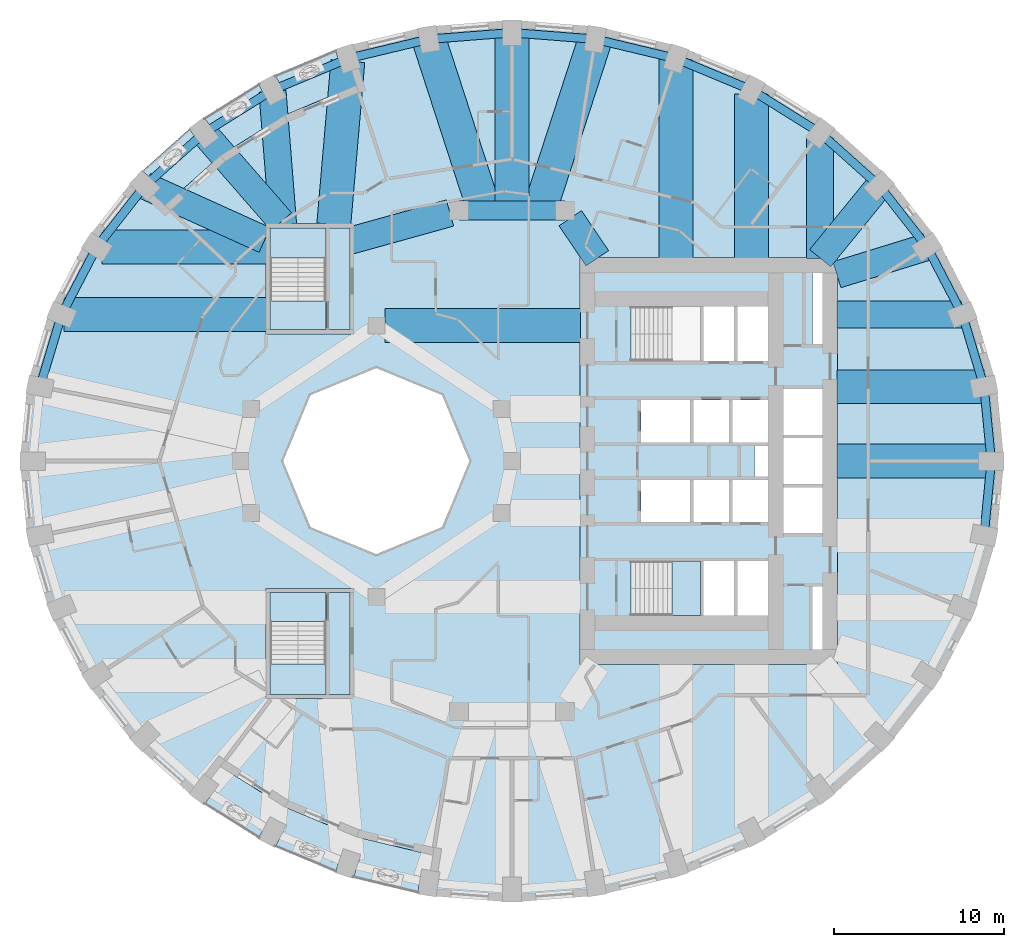
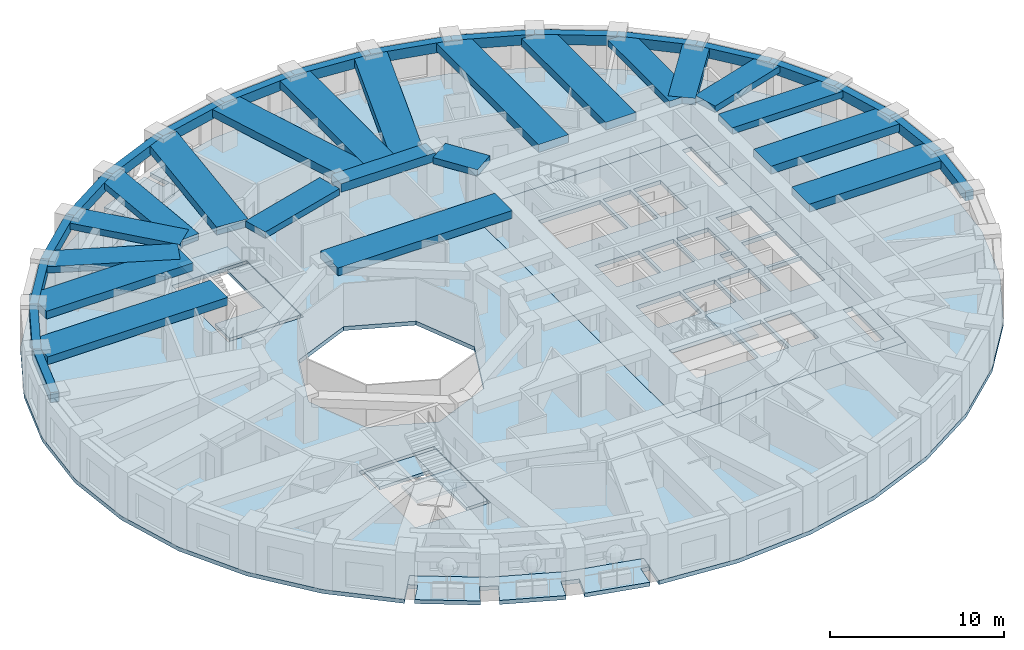
# One storey, part 2 of 13: 39 beams, 11 slabs, 3 elements without a shape of their own.
"""IFC4 building model written with IfcOpenShell, lengths in metres."""

from ifc_helpers import new_model, si_unit, direction, frame, origin, origin_2d, place, context, subcontext, project, spatial, polyline, rectangle, outline, extrude, material, layer, layer_set, material_profile, profile_set, type_object, element, aggregate, save


model = new_model("IFC4")

# Units and contexts
model_context = context("Model", 3, precision=1e-05, world=origin(), true_north=direction((0.0, 1.0)))
body_context = subcontext(model_context, "Body", "Model", "MODEL_VIEW")
ifc_project = project(units=[si_unit("LENGTHUNIT", "METRE"), si_unit("AREAUNIT", "SQUARE_METRE"), si_unit("VOLUMEUNIT", "CUBIC_METRE"), si_unit("PLANEANGLEUNIT", "RADIAN"), si_unit("MASSUNIT", "GRAM", prefix="KILO")], contexts=[model_context])

# Site, building, storey
site_placement = place(None, origin())
site = spatial("IfcSite", under=ifc_project, at=site_placement, CompositionType="ELEMENT")
building_placement = place(site_placement, origin())
building = spatial("IfcBuilding", under=site, at=building_placement, Name="Taillehof Tower", CompositionType="ELEMENT")
storey_placement = place(building_placement, frame((0.0, 0.0, 48.10009765625)))
storey = spatial("IfcBuildingStorey", under=building, at=storey_placement, Name="L12", CompositionType="ELEMENT", Elevation=48.10009765625)

# Beams
ifc_material_1 = material(Name="Concrete C50/60", Category="concrete")
ifc_material_profile_1 = material_profile(ifc_material_1, rectangle(XDim=1.10009765625, YDim=0.60009765625, at=origin_2d()), Name="RC 1100x600")
ifc_profile_set_1 = profile_set([ifc_material_profile_1], Name="Concrete C50/60")
beam_type_1 = type_object("IfcBeamType", Name="Mid-ring beam C50/60 1100x600", PredefinedType="BEAM", material=ifc_profile_set_1)
beam_1_placement = place(storey_placement, frame((3.125732421875, 14.772216796875, 2.719970703125), z_axis=(-1.0, 0.0, 0.0), x_axis=(0.0, -1.0, 0.0)))
element("IfcBeam", 1, at=beam_1_placement, inside=storey, type_object=beam_type_1, Name="Mid-ring beam MB01", PredefinedType="BEAM", context=body_context, shape_type="SweptSolid", body=[
    extrude(rectangle(XDim=1.10009765625, YDim=0.60009765625, at=origin_2d()), origin(), (0.0, 0.0, 1.0), 6.25146484375),
])
ifc_material_2 = material(Name="Concrete C50/60", Category="concrete")
ifc_material_profile_2 = material_profile(ifc_material_2, rectangle(XDim=1.60009765625, YDim=0.449951171875, at=origin_2d()), Name="RC 1600x450")
ifc_profile_set_2 = profile_set([ifc_material_profile_2], Name="Concrete C50/60")
beam_type_2 = type_object("IfcBeamType", Name="Radial band beam C50/60 1600x450", PredefinedType="BEAM", material=ifc_profile_set_2)
beam_2_placement = place(storey_placement, frame((26.490478515625, 8.635986328125, 2.794921875), z_axis=(-1.0, 0.0, 0.0), x_axis=(0.0, -1.0, 0.0)))
element("IfcBeam", 2, at=beam_2_placement, inside=storey, type_object=beam_type_2, Name="Radial band beam RB03", PredefinedType="BEAM", context=body_context, shape_type="SweptSolid", body=[
    extrude(rectangle(XDim=1.60009765625, YDim=0.449951171875, at=origin_2d()), origin(), (0.0, 0.0, 1.0), 7.340576171875),
])
beam_3_placement = place(storey_placement, frame((24.46533203125, 12.625, 2.794921875), z_axis=(-0.955535654338, -0.294875589511, 0.0), x_axis=(0.294875589511, -0.955535654338, 0.0)))
element("IfcBeam", 3, at=beam_3_placement, inside=storey, type_object=beam_type_2, Name="Radial band beam RB04", PredefinedType="BEAM", context=body_context, shape_type="SweptSolid", body=[
    extrude(rectangle(XDim=1.60009765625, YDim=0.449951171875, at=origin_2d()), origin(), (0.0, 0.0, 1.0), 5.560546875),
])
beam_4_placement = place(storey_placement, frame((21.640869140625, 16.23046875, 2.794921875), z_axis=(-0.630988373846, -0.775792286679, 0.0), x_axis=(0.775792286679, -0.630988373846, 0.0)))
element("IfcBeam", 4, at=beam_4_placement, inside=storey, type_object=beam_type_2, Name="Radial band beam RB05", PredefinedType="BEAM", context=body_context, shape_type="SweptSolid", body=[
    extrude(rectangle(XDim=1.60009765625, YDim=0.449951171875, at=origin_2d()), origin(), (0.0, 0.0, 1.0), 5.503173828125),
])
beam_5_placement = place(storey_placement, frame((18.15869140625, 19.05517578125, 2.794921875), z_axis=(0.0, -1.0, 0.0), x_axis=(1.0, 0.0, 0.0)))
element("IfcBeam", 5, at=beam_5_placement, inside=storey, type_object=beam_type_2, Name="Radial band beam RB06", PredefinedType="BEAM", context=body_context, shape_type="SweptSolid", body=[
    extrude(rectangle(XDim=1.60009765625, YDim=0.449951171875, at=origin_2d()), origin(), (0.0, 0.0, 1.0), 7.105224609375),
])
beam_6_placement = place(storey_placement, frame((-14.119873046875, 21.802978515625, 2.794921875), z_axis=(0.079184740988, -0.996859958467, 0.0), x_axis=(0.996859958467, 0.079184740988, 0.0)))
element("IfcBeam", 6, at=beam_6_placement, inside=storey, type_object=beam_type_2, Name="Radial band beam RB13", PredefinedType="BEAM", context=body_context, shape_type="SweptSolid", body=[
    extrude(rectangle(XDim=1.60009765625, YDim=0.449951171875, at=origin_2d()), origin(), (0.0, 0.0, 1.0), 7.87744140625),
])
beam_7_placement = place(storey_placement, frame((-18.15869140625, 19.342529296875, 2.794921875), z_axis=(0.65721824087, -0.753700327628, 0.0), x_axis=(0.753700327628, 0.65721824087, 0.0)))
element("IfcBeam", 7, at=beam_7_placement, inside=storey, type_object=beam_type_2, Name="Radial band beam RB14", PredefinedType="BEAM", context=body_context, shape_type="SweptSolid", body=[
    extrude(rectangle(XDim=1.60009765625, YDim=0.449951171875, at=origin_2d()), origin(), (0.0, 0.0, 1.0), 6.9384765625),
])
beam_8_placement = place(storey_placement, frame((-21.632568359375, 16.226806640625, 2.794921875), z_axis=(0.911100590789, -0.412184077161, 0.0), x_axis=(0.412184077161, 0.911100590789, 0.0)))
element("IfcBeam", 8, at=beam_8_placement, inside=storey, type_object=beam_type_2, Name="Radial band beam RB15", PredefinedType="BEAM", context=body_context, shape_type="SweptSolid", body=[
    extrude(rectangle(XDim=1.60009765625, YDim=0.449951171875, at=origin_2d()), origin(), (0.0, 0.0, 1.0), 7.740966796875),
])
beam_9_placement = place(storey_placement, frame((3.433837890625, 14.31640625, 2.794921875), z_axis=(0.560112043398, -0.828416862962, 0.0), x_axis=(0.828416862962, 0.560112043398, 0.0)))
element("IfcBeam", 9, at=beam_9_placement, inside=storey, type_object=beam_type_2, Name="Inner band beam IB205", PredefinedType="BEAM", context=body_context, shape_type="SweptSolid", body=[
    extrude(rectangle(XDim=1.60009765625, YDim=0.449951171875, at=origin_2d()), origin(), (0.0, 0.0, 1.0), 2.84619140625),
])
beam_10_placement = place(storey_placement, frame((-3.655517578125, 14.624755859375, 2.794921875), z_axis=(-0.963459369536, -0.267854518821, 0.0), x_axis=(0.267854518821, -0.963459369536, 0.0)))
element("IfcBeam", 10, at=beam_10_placement, inside=storey, type_object=beam_type_2, Name="Inner band beam IB206", PredefinedType="BEAM", context=body_context, shape_type="SweptSolid", body=[
    extrude(rectangle(XDim=1.60009765625, YDim=0.449951171875, at=origin_2d()), origin(), (0.0, 0.0, 1.0), 6.096923828125),
])
ifc_material_3 = material(Name="Concrete C50/60", Category="concrete")
ifc_material_profile_3 = material_profile(ifc_material_3, rectangle(XDim=2.0, YDim=0.550048828125, at=origin_2d()), Name="RC 2000x550")
ifc_profile_set_3 = profile_set([ifc_material_profile_3], Name="Concrete C50/60")
beam_type_3 = type_object("IfcBeamType", Name="Radial band beam C50/60 2000x550", PredefinedType="BEAM", material=ifc_profile_set_3)
beam_11_placement = place(storey_placement, frame((28.25, 0.0, 2.744873046875), z_axis=(-1.0, 0.0, 0.0), x_axis=(0.0, -1.0, 0.0)))
element("IfcBeam", 11, at=beam_11_placement, inside=storey, type_object=beam_type_3, Name="Radial band beam RB01", PredefinedType="BEAM", context=body_context, shape_type="SweptSolid", body=[
    extrude(rectangle(XDim=2.0, YDim=0.550048828125, at=origin_2d()), origin(), (0.0, 0.0, 1.0), 9.10009765625),
])
beam_12_placement = place(storey_placement, frame((27.82080078125, 4.384521484375, 2.744873046875), z_axis=(-1.0, 0.0, 0.0), x_axis=(0.0, -1.0, 0.0)))
element("IfcBeam", 12, at=beam_12_placement, inside=storey, type_object=beam_type_3, Name="Radial band beam RB02", PredefinedType="BEAM", context=body_context, shape_type="SweptSolid", body=[
    extrude(rectangle(XDim=2.0, YDim=0.550048828125, at=origin_2d()), origin(), (0.0, 0.0, 1.0), 8.6708984375),
])
beam_13_placement = place(storey_placement, frame((14.125, 21.63232421875, 2.744873046875), z_axis=(0.0, -1.0, 0.0), x_axis=(1.0, 0.0, 0.0)))
element("IfcBeam", 13, at=beam_13_placement, inside=storey, type_object=beam_type_3, Name="Radial band beam RB07", PredefinedType="BEAM", context=body_context, shape_type="SweptSolid", body=[
    extrude(rectangle(XDim=2.0, YDim=0.550048828125, at=origin_2d()), origin(), (0.0, 0.0, 1.0), 9.682373046875),
])
beam_14_placement = place(storey_placement, frame((9.662109375, 23.664794921875, 2.744873046875), z_axis=(0.0, -1.0, 0.0), x_axis=(1.0, 0.0, 0.0)))
element("IfcBeam", 14, at=beam_14_placement, inside=storey, type_object=beam_type_3, Name="Radial band beam RB08", PredefinedType="BEAM", context=body_context, shape_type="SweptSolid", body=[
    extrude(rectangle(XDim=2.0, YDim=0.550048828125, at=origin_2d()), origin(), (0.0, 0.0, 1.0), 11.71484375),
])
beam_15_placement = place(storey_placement, frame((4.905517578125, 24.866455078125, 2.744873046875), z_axis=(-0.309014294595, -0.951057393503, 0.0), x_axis=(0.951057393503, -0.309014294595, 0.0)))
element("IfcBeam", 15, at=beam_15_placement, inside=storey, type_object=beam_type_3, Name="Radial band beam RB09", PredefinedType="BEAM", context=body_context, shape_type="SweptSolid", body=[
    extrude(rectangle(XDim=2.0, YDim=0.550048828125, at=origin_2d()), origin(), (0.0, 0.0, 1.0), 10.61376953125),
])
beam_16_placement = place(storey_placement, frame((0.0, 25.25, 2.744873046875), z_axis=(0.0, -1.0, 0.0), x_axis=(1.0, 0.0, 0.0)))
element("IfcBeam", 16, at=beam_16_placement, inside=storey, type_object=beam_type_3, Name="Radial band beam RB10", PredefinedType="BEAM", context=body_context, shape_type="SweptSolid", body=[
    extrude(rectangle(XDim=2.0, YDim=0.550048828125, at=origin_2d()), origin(), (0.0, 0.0, 1.0), 10.477783203125),
])
beam_17_placement = place(storey_placement, frame((-4.905517578125, 24.866455078125, 2.744873046875), z_axis=(0.309014294595, -0.951057393503, 0.0), x_axis=(0.951057393503, 0.309014294595, 0.0)))
element("IfcBeam", 17, at=beam_17_placement, inside=storey, type_object=beam_type_3, Name="Radial band beam RB11", PredefinedType="BEAM", context=body_context, shape_type="SweptSolid", body=[
    extrude(rectangle(XDim=2.0, YDim=0.550048828125, at=origin_2d()), origin(), (0.0, 0.0, 1.0), 10.61376953125),
])
beam_18_placement = place(storey_placement, frame((-9.675048828125, 23.575927734375, 2.744873046875), z_axis=(-0.085841202752, -0.996308831593, 0.0), x_axis=(0.996308831593, -0.085841202752, 0.0)))
element("IfcBeam", 18, at=beam_18_placement, inside=storey, type_object=beam_type_3, Name="Radial band beam RB12", PredefinedType="BEAM", context=body_context, shape_type="SweptSolid", body=[
    extrude(rectangle(XDim=2.0, YDim=0.550048828125, at=origin_2d()), origin(), (0.0, 0.0, 1.0), 9.661376953125),
])
beam_19_placement = place(storey_placement, frame((-24.172607421875, 12.625, 2.744873046875), z_axis=(1.0, 0.0, 0.0), x_axis=(0.0, 1.0, 0.0)))
element("IfcBeam", 19, at=beam_19_placement, inside=storey, type_object=beam_type_3, Name="Radial band beam RB16", PredefinedType="BEAM", context=body_context, shape_type="SweptSolid", body=[
    extrude(rectangle(XDim=2.0, YDim=0.550048828125, at=origin_2d()), origin(), (0.0, 0.0, 1.0), 9.72265625),
])
beam_20_placement = place(storey_placement, frame((-26.408935546875, 8.635986328125, 2.744873046875), z_axis=(1.0, 0.0, 0.0), x_axis=(0.0, 1.0, 0.0)))
element("IfcBeam", 20, at=beam_20_placement, inside=storey, type_object=beam_type_3, Name="Radial band beam RB17", PredefinedType="BEAM", context=body_context, shape_type="SweptSolid", body=[
    extrude(rectangle(XDim=2.0, YDim=0.550048828125, at=origin_2d()), origin(), (0.0, 0.0, 1.0), 11.958984375),
])
beam_21_placement = place(storey_placement, frame((-7.5, 8.0, 2.744873046875), z_axis=(1.0, 0.0, 0.0), x_axis=(0.0, 1.0, 0.0)))
element("IfcBeam", 21, at=beam_21_placement, inside=storey, type_object=beam_type_3, Name="Inner band beam IB105", PredefinedType="BEAM", context=body_context, shape_type="SweptSolid", body=[
    extrude(rectangle(XDim=2.0, YDim=0.550048828125, at=origin_2d()), origin(), (0.0, 0.0, 1.0), 11.550048828125),
])
ifc_material_4 = material(Name="Concrete C50/60", Category="concrete")
ifc_material_profile_4 = material_profile(ifc_material_4, rectangle(XDim=0.5, YDim=0.699951171875, at=origin_2d()), Name="RC 500x700")
ifc_profile_set_4 = profile_set([ifc_material_profile_4], Name="Concrete C50/60")
beam_type_4 = type_object("IfcBeamType", Name="Spandrel beam C50/60 500x700", PredefinedType="SPANDREL", material=ifc_profile_set_4)
beam_22_placement = place(storey_placement, frame((28.25, 0.0, 2.669921875), z_axis=(-0.097423973567, 0.99524297002, 0.0), x_axis=(-0.99524297002, -0.097423973567, 0.0)))
element("IfcBeam", 22, at=beam_22_placement, inside=storey, type_object=beam_type_4, Name="Spandrel beam SB01", PredefinedType="SPANDREL", context=body_context, shape_type="SweptSolid", body=[
    extrude(rectangle(XDim=0.5, YDim=0.699951171875, at=origin_2d()), origin(), (0.0, 0.0, 1.0), 4.405517578125),
])
beam_23_placement = place(storey_placement, frame((27.82080078125, 4.384521484375, 2.669921875), z_axis=(-0.287135925407, 0.957889847707, 0.0), x_axis=(-0.957889847707, -0.287135925407, 0.0)))
element("IfcBeam", 23, at=beam_23_placement, inside=storey, type_object=beam_type_4, Name="Spandrel beam SB02", PredefinedType="SPANDREL", context=body_context, shape_type="SweptSolid", body=[
    extrude(rectangle(XDim=0.5, YDim=0.699951171875, at=origin_2d()), origin(), (0.0, 0.0, 1.0), 4.4384765625),
])
beam_24_placement = place(storey_placement, frame((26.54638671875, 8.635986328125, 2.669921875), z_axis=(-0.462536335232, 0.886600326297, 0.0), x_axis=(-0.886600326297, -0.462536335232, 0.0)))
element("IfcBeam", 24, at=beam_24_placement, inside=storey, type_object=beam_type_4, Name="Spandrel beam SB03", PredefinedType="SPANDREL", context=body_context, shape_type="SweptSolid", body=[
    extrude(rectangle(XDim=0.5, YDim=0.699951171875, at=origin_2d()), origin(), (0.0, 0.0, 1.0), 4.499267578125),
])
beam_25_placement = place(storey_placement, frame((24.46533203125, 12.625, 2.669921875), z_axis=(-0.616686200373, 0.787209076593, 0.0), x_axis=(-0.787209076593, -0.616686200373, 0.0)))
element("IfcBeam", 25, at=beam_25_placement, inside=storey, type_object=beam_type_4, Name="Spandrel beam SB04", PredefinedType="SPANDREL", context=body_context, shape_type="SweptSolid", body=[
    extrude(rectangle(XDim=0.5, YDim=0.699951171875, at=origin_2d()), origin(), (0.0, 0.0, 1.0), 4.580078125),
])
beam_26_placement = place(storey_placement, frame((21.640869140625, 16.23046875, 2.669921875), z_axis=(-0.745621283614, 0.666369943366, 0.0), x_axis=(-0.666369943366, -0.745621283614, 0.0)))
element("IfcBeam", 26, at=beam_26_placement, inside=storey, type_object=beam_type_4, Name="Spandrel beam SB05", PredefinedType="SPANDREL", context=body_context, shape_type="SweptSolid", body=[
    extrude(rectangle(XDim=0.5, YDim=0.699951171875, at=origin_2d()), origin(), (0.0, 0.0, 1.0), 4.670166015625),
])
beam_27_placement = place(storey_placement, frame((18.15869140625, 19.342529296875, 2.669921875), z_axis=(-0.847658018883, 0.530543007703, 0.0), x_axis=(-0.530543007703, -0.847658018883, 0.0)))
element("IfcBeam", 27, at=beam_27_placement, inside=storey, type_object=beam_type_4, Name="Spandrel beam SB06", PredefinedType="SPANDREL", context=body_context, shape_type="SweptSolid", body=[
    extrude(rectangle(XDim=0.5, YDim=0.699951171875, at=origin_2d()), origin(), (0.0, 0.0, 1.0), 4.758544921875),
])
beam_28_placement = place(storey_placement, frame((14.125, 21.8671875, 2.669921875), z_axis=(-0.923035088053, 0.384715773297, 0.0), x_axis=(-0.384715773297, -0.923035088053, 0.0)))
element("IfcBeam", 28, at=beam_28_placement, inside=storey, type_object=beam_type_4, Name="Spandrel beam SB07", PredefinedType="SPANDREL", context=body_context, shape_type="SweptSolid", body=[
    extrude(rectangle(XDim=0.5, YDim=0.699951171875, at=origin_2d()), origin(), (0.0, 0.0, 1.0), 4.8349609375),
])
beam_29_placement = place(storey_placement, frame((9.662109375, 23.727294921875, 2.669921875), z_axis=(-0.9724995553, 0.232904733616, 0.0), x_axis=(-0.232904733616, -0.9724995553, 0.0)))
element("IfcBeam", 29, at=beam_29_placement, inside=storey, type_object=beam_type_4, Name="Spandrel beam SB08", PredefinedType="SPANDREL", context=body_context, shape_type="SweptSolid", body=[
    extrude(rectangle(XDim=0.5, YDim=0.699951171875, at=origin_2d()), origin(), (0.0, 0.0, 1.0), 4.89111328125),
])
for number, where, z_axis, x_axis, name in (
    (30, (4.905517578125, 24.866455078125, 2.669921875), (-0.996957383661, 0.077948541767, 0.0), (-0.077948541767, -0.996957383661, 0.0), "Spandrel beam SB09"),
    (31, (0.0, 25.25, 2.669921875), (-0.996957383661, -0.077948541767, 0.0), (0.077948541767, -0.996957383661, 0.0), "Spandrel beam SB10"),
):
    element("IfcBeam", number, at=place(storey_placement, frame(where, z_axis=z_axis, x_axis=x_axis)), inside=storey, type_object=beam_type_4, Name=name, PredefinedType="SPANDREL", context=body_context, shape_type="SweptSolid", body=[
        extrude(rectangle(XDim=0.5, YDim=0.699951171875, at=origin_2d()), origin(), (0.0, 0.0, 1.0), 4.92041015625),
    ])
beam_30_placement = place(storey_placement, frame((-4.905517578125, 24.866455078125, 2.669921875), z_axis=(-0.9724995553, -0.232904733616, 0.0), x_axis=(0.232904733616, -0.9724995553, 0.0)))
element("IfcBeam", 32, at=beam_30_placement, inside=storey, type_object=beam_type_4, Name="Spandrel beam SB11", PredefinedType="SPANDREL", context=body_context, shape_type="SweptSolid", body=[
    extrude(rectangle(XDim=0.5, YDim=0.699951171875, at=origin_2d()), origin(), (0.0, 0.0, 1.0), 4.89111328125),
])
beam_31_placement = place(storey_placement, frame((-9.662109375, 23.727294921875, 2.669921875), z_axis=(-0.923035088053, -0.384715773297, 0.0), x_axis=(0.384715773297, -0.923035088053, 0.0)))
element("IfcBeam", 33, at=beam_31_placement, inside=storey, type_object=beam_type_4, Name="Spandrel beam SB12", PredefinedType="SPANDREL", context=body_context, shape_type="SweptSolid", body=[
    extrude(rectangle(XDim=0.5, YDim=0.699951171875, at=origin_2d()), origin(), (0.0, 0.0, 1.0), 4.8349609375),
])
beam_32_placement = place(storey_placement, frame((-14.125, 21.8671875, 2.669921875), z_axis=(-0.847658018883, -0.530543007703, 0.0), x_axis=(0.530543007703, -0.847658018883, 0.0)))
element("IfcBeam", 34, at=beam_32_placement, inside=storey, type_object=beam_type_4, Name="Spandrel beam SB13", PredefinedType="SPANDREL", context=body_context, shape_type="SweptSolid", body=[
    extrude(rectangle(XDim=0.5, YDim=0.699951171875, at=origin_2d()), origin(), (0.0, 0.0, 1.0), 4.758544921875),
])
beam_33_placement = place(storey_placement, frame((-18.15869140625, 19.342529296875, 2.669921875), z_axis=(-0.745621283614, -0.666369943366, 0.0), x_axis=(0.666369943366, -0.745621283614, 0.0)))
element("IfcBeam", 35, at=beam_33_placement, inside=storey, type_object=beam_type_4, Name="Spandrel beam SB14", PredefinedType="SPANDREL", context=body_context, shape_type="SweptSolid", body=[
    extrude(rectangle(XDim=0.5, YDim=0.699951171875, at=origin_2d()), origin(), (0.0, 0.0, 1.0), 4.670166015625),
])
beam_34_placement = place(storey_placement, frame((-21.640869140625, 16.23046875, 2.669921875), z_axis=(-0.616686200373, -0.787209076593, 0.0), x_axis=(0.787209076593, -0.616686200373, 0.0)))
element("IfcBeam", 36, at=beam_34_placement, inside=storey, type_object=beam_type_4, Name="Spandrel beam SB15", PredefinedType="SPANDREL", context=body_context, shape_type="SweptSolid", body=[
    extrude(rectangle(XDim=0.5, YDim=0.699951171875, at=origin_2d()), origin(), (0.0, 0.0, 1.0), 4.580078125),
])
beam_35_placement = place(storey_placement, frame((-24.46533203125, 12.625, 2.669921875), z_axis=(-0.462536335232, -0.886600326297, 0.0), x_axis=(0.886600326297, -0.462536335232, 0.0)))
element("IfcBeam", 37, at=beam_35_placement, inside=storey, type_object=beam_type_4, Name="Spandrel beam SB16", PredefinedType="SPANDREL", context=body_context, shape_type="SweptSolid", body=[
    extrude(rectangle(XDim=0.5, YDim=0.699951171875, at=origin_2d()), origin(), (0.0, 0.0, 1.0), 4.499267578125),
])
beam_36_placement = place(storey_placement, frame((-26.54638671875, 8.635986328125, 2.669921875), z_axis=(-0.287135925407, -0.957889847707, 0.0), x_axis=(0.957889847707, -0.287135925407, 0.0)))
element("IfcBeam", 38, at=beam_36_placement, inside=storey, type_object=beam_type_4, Name="Spandrel beam SB17", PredefinedType="SPANDREL", context=body_context, shape_type="SweptSolid", body=[
    extrude(rectangle(XDim=0.5, YDim=0.699951171875, at=origin_2d()), origin(), (0.0, 0.0, 1.0), 4.4384765625),
])
beam_37_placement = place(storey_placement, frame((27.82080078125, -4.384521484375, 2.669921875), z_axis=(0.097423973567, 0.99524297002, 0.0), x_axis=(-0.99524297002, 0.097423973567, 0.0)))
element("IfcBeam", 39, at=beam_37_placement, inside=storey, type_object=beam_type_4, Name="Spandrel beam SB36", PredefinedType="SPANDREL", context=body_context, shape_type="SweptSolid", body=[
    extrude(rectangle(XDim=0.5, YDim=0.699951171875, at=origin_2d()), origin(), (0.0, 0.0, 1.0), 4.405517578125),
])

# Slabs
ifc_material_5 = material(Name="Concrete C40/50", Category="concrete")
ifc_layer_1 = layer(ifc_material_5, 0.280029296875)
ifc_layer_set_1 = layer_set([ifc_layer_1], Name="Balcony slab 280")
slab_type_1 = type_object("IfcSlabType", Name="Balcony slab 280", PredefinedType="USERDEFINED", material=ifc_layer_set_1)
slab_1_placement = place(storey_placement, frame((0.0, 0.0, -0.280029296875)))
element("IfcSlab", 40, at=slab_1_placement, inside=storey, type_object=slab_type_1, Name="Balcony L12 pocket 7", ObjectType="BALCONY", PredefinedType="USERDEFINED", context=body_context, shape_type="SweptSolid", body=[
    extrude(outline(polyline([(-4.6611328125, -23.234375), (-4.801513671875, -24.12353515625), (-5.331787109375, -24.039794921875), (-5.559326171875, -25.479248046875), (-9.357421875, -24.56689453125), (-8.906494140625, -23.184814453125), (-9.9521484375, -22.843505859375), (-10.404296875, -24.22900390625), (-13.958984375, -22.742919921875), (-13.291748046875, -21.453857421875), (-14.2685546875, -20.9482421875), (-14.938232421875, -22.24169921875), (-18.139404296875, -20.23193359375), (-17.268310546875, -19.073974609375), (-17.73974609375, -18.71923828125), (-17.197998046875, -17.999267578125), (-13.396728515625, -20.38525390625), (-9.174072265625, -22.150390625), (-4.6611328125, -23.234375)])), origin(), (0.0, 0.0, 1.0), 0.280029296875),
])
slab_2_placement = place(storey_placement, frame((0.0, 0.0, -0.280029296875)))
element("IfcSlab", 41, at=slab_2_placement, inside=storey, type_object=slab_type_1, Name="Balcony L12 pocket 3", ObjectType="BALCONY", PredefinedType="USERDEFINED", context=body_context, shape_type="SweptSolid", body=[
    extrude(outline(polyline([(-20.463134765625, 15.072509765625), (-21.120849609375, 15.688232421875), (-20.71728515625, 16.119384765625), (-21.77392578125, 17.108154296875), (-19.02197265625, 19.575439453125), (-18.1474609375, 18.41259765625), (-17.268310546875, 19.073974609375), (-18.139404296875, 20.23193359375), (-14.938232421875, 22.24169921875), (-14.2685546875, 20.9482421875), (-13.291748046875, 21.453857421875), (-13.958984375, 22.742919921875), (-10.404296875, 24.22900390625), (-9.9521484375, 22.843505859375), (-9.453369140625, 23.00634765625), (-9.174072265625, 22.150390625), (-13.396728515625, 20.38525390625), (-17.197998046875, 17.999267578125), (-20.463134765625, 15.072509765625)])), origin(), (0.0, 0.0, 1.0), 0.280029296875),
])
ifc_material_6 = material(Name="Concrete C40/50", Category="concrete")
ifc_layer_2 = layer(ifc_material_6, 0.280029296875)
ifc_layer_set_2 = layer_set([ifc_layer_2], Name="Core floor slab C40/50 280")
slab_type_2 = type_object("IfcSlabType", Name="Core floor slab C40/50 280", PredefinedType="FLOOR", material=ifc_layer_set_2)
slab_3_placement = place(storey_placement, frame((0.0, 0.0, -0.280029296875)))
element("IfcSlab", 42, at=slab_3_placement, inside=storey, type_object=slab_type_2, Name="Core floor L12", PredefinedType="FLOOR", context=body_context, shape_type="SweptSolid", body=[
    extrude(outline(polyline([(4.0, -12.0), (4.0, 12.0), (19.199951171875, 12.0), (19.199951171875, -12.0), (4.0, -12.0)]), holes=[polyline([(7.00048828125, -9.10009765625), (11.10009765625, -9.10009765625), (11.10009765625, -5.89990234375), (7.00048828125, -5.89990234375), (7.00048828125, -9.10009765625)]), polyline([(13.10009765625, -9.10009765625), (13.10009765625, -5.89990234375), (11.300048828125, -5.89990234375), (11.300048828125, -9.10009765625), (13.10009765625, -9.10009765625)]), polyline([(10.5, -3.60009765625), (10.5, -1.10009765625), (7.60009765625, -1.10009765625), (7.60009765625, -3.60009765625), (10.5, -3.60009765625)]), polyline([(12.800048828125, -3.60009765625), (12.800048828125, -1.10009765625), (10.699951171875, -1.10009765625), (10.699951171875, -3.60009765625), (12.800048828125, -3.60009765625)]), polyline([(10.5, 1.10009765625), (10.5, 3.60009765625), (7.60009765625, 3.60009765625), (7.60009765625, 1.10009765625), (10.5, 1.10009765625)]), polyline([(12.800048828125, 1.10009765625), (12.800048828125, 3.60009765625), (10.699951171875, 3.60009765625), (10.699951171875, 1.10009765625), (12.800048828125, 1.10009765625)]), polyline([(15.10009765625, 1.10009765625), (15.10009765625, 3.60009765625), (13.0, 3.60009765625), (13.0, 1.10009765625), (15.10009765625, 1.10009765625)]), polyline([(11.300048828125, 5.89990234375), (13.10009765625, 5.89990234375), (13.10009765625, 9.10009765625), (11.300048828125, 9.10009765625), (11.300048828125, 5.89990234375)]), polyline([(7.00048828125, 5.89990234375), (11.10009765625, 5.89990234375), (11.10009765625, 9.10009765625), (7.00048828125, 9.10009765625), (7.00048828125, 5.89990234375)]), polyline([(18.300048828125, -11.10009765625), (18.300048828125, -7.39990234375), (17.699951171875, -7.39990234375), (17.699951171875, -11.10009765625), (18.300048828125, -11.10009765625)]), polyline([(15.10009765625, -9.10009765625), (15.10009765625, -5.89990234375), (13.300048828125, -5.89990234375), (13.300048828125, -9.10009765625), (15.10009765625, -9.10009765625)]), polyline([(18.300048828125, -4.25), (18.300048828125, -1.550048828125), (16.0, -1.550048828125), (16.0, -4.25), (18.300048828125, -4.25)]), polyline([(15.10009765625, -3.60009765625), (15.10009765625, -1.10009765625), (13.0, -1.10009765625), (13.0, -3.60009765625), (15.10009765625, -3.60009765625)]), polyline([(15.10009765625, -0.89990234375), (15.10009765625, 0.89990234375), (14.300048828125, 0.89990234375), (14.300048828125, -0.89990234375), (15.10009765625, -0.89990234375)]), polyline([(18.300048828125, -1.35009765625), (18.300048828125, 1.35009765625), (16.0, 1.35009765625), (16.0, -1.35009765625), (18.300048828125, -1.35009765625)]), polyline([(18.300048828125, 1.550048828125), (18.300048828125, 4.25), (16.0, 4.25), (16.0, 1.550048828125), (18.300048828125, 1.550048828125)]), polyline([(13.300048828125, 5.89990234375), (15.10009765625, 5.89990234375), (15.10009765625, 9.10009765625), (13.300048828125, 9.10009765625), (13.300048828125, 5.89990234375)]), polyline([(17.699951171875, 6.89990234375), (18.300048828125, 6.89990234375), (18.300048828125, 11.10009765625), (17.699951171875, 11.10009765625), (17.699951171875, 6.89990234375)])]), origin(), (0.0, 0.0, 1.0), 0.280029296875),
])
ifc_material_7 = material(Name="Concrete C40/50", Category="concrete")
ifc_layer_3 = layer(ifc_material_7, 0.280029296875)
ifc_layer_set_3 = layer_set([ifc_layer_3], Name="Floor slab 280")
slab_type_3 = type_object("IfcSlabType", Name="Floor slab 280", PredefinedType="FLOOR", material=ifc_layer_set_3)
slab_4_placement = place(storey_placement, frame((0.0, 0.0, -0.280029296875)))
element("IfcSlab", 43, at=slab_4_placement, inside=storey, type_object=slab_type_3, Name="Floor slab L12", PredefinedType="FLOOR", context=body_context, shape_type="SweptSolid", body=[
    extrude(outline(polyline([(29.0, 0.0), (28.559326171875, 4.514892578125), (27.251220703125, 8.892578125), (25.11474609375, 13.0), (22.21533203125, 16.71240234375), (18.640869140625, 19.917236328125), (14.5, 22.5166015625), (9.918701171875, 24.431884765625), (5.035888671875, 25.60498046875), (0.0, 26.0), (-5.035888671875, 25.60498046875), (-9.918701171875, 24.431884765625), (-9.174072265625, 22.150390625), (-13.396728515625, 20.38525390625), (-17.197998046875, 17.999267578125), (-20.462890625, 15.072509765625), (-22.21533203125, 16.71240234375), (-25.11474609375, 13.0), (-27.251220703125, 8.892578125), (-28.559326171875, 4.514892578125), (-29.0, 0.0), (-28.559326171875, -4.514892578125), (-27.251220703125, -8.892578125), (-25.11474609375, -13.0), (-22.21533203125, -16.71240234375), (-18.640869140625, -19.917236328125), (-17.197998046875, -17.999267578125), (-13.396728515625, -20.38525390625), (-9.174072265625, -22.150390625), (-4.660888671875, -23.234375), (-5.035888671875, -25.60498046875), (0.0, -26.0), (5.035888671875, -25.60498046875), (9.918701171875, -24.431884765625), (14.5, -22.5166015625), (18.640869140625, -19.917236328125), (22.21533203125, -16.71240234375), (25.11474609375, -13.0), (27.251220703125, -8.892578125), (28.559326171875, -4.514892578125), (29.0, 0.0)]), holes=[polyline([(-14.5, -7.5), (-9.5, -7.5), (-9.5, -14.0), (-14.5, -14.0), (-14.5, -7.5)]), polyline([(-8.0, -5.5), (-11.88916015625, -3.88916015625), (-13.5, 0.0), (-11.88916015625, 3.88916015625), (-8.0, 5.5), (-4.11083984375, 3.88916015625), (-2.5, 0.0), (-4.11083984375, -3.88916015625), (-8.0, -5.5)]), polyline([(19.199951171875, 12.0), (19.199951171875, -12.0), (4.0, -12.0), (4.0, 12.0), (19.199951171875, 12.0)]), polyline([(-14.5, 14.0), (-9.5, 14.0), (-9.5, 7.5), (-14.5, 7.5), (-14.5, 14.0)])]), origin(), (0.0, 0.0, 1.0), 0.280029296875),
])

# Stair, slab
ifc_material_8 = material(Name="Concrete C40/50", Category="concrete")
stair_type = type_object("IfcStairType", Name="Exit stair half-turn", PredefinedType="HALF_TURN_STAIR", material=ifc_material_8)
stair_1_placement = place(storey_placement, origin())
stair_1 = element("IfcStair", 44, at=stair_1_placement, inside=storey, type_object=stair_type, Name="Exit stair S2", PredefinedType="HALF_TURN_STAIR")
ifc_material_9 = material(Name="Concrete C40/50", Category="concrete")
ifc_layer_4 = layer(ifc_material_9, 0.2099609375)
ifc_layer_set_4 = layer_set([ifc_layer_4], Name="Stair landing C40/50 210")
slab_type_4 = type_object("IfcSlabType", Name="Stair landing C40/50 210", PredefinedType="LANDING", material=ifc_layer_set_4)
slab_5_placement = place(storey_placement, frame((0.0, 0.0, 1.43994140625)))
slab_5 = element("IfcSlab", 45, at=slab_5_placement, type_object=slab_type_4, Name="S2 landing 1", PredefinedType="LANDING", context=body_context, shape_type="SweptSolid", body=[
    extrude(outline(polyline([(9.429931640625, -5.89990234375), (11.10009765625, -5.89990234375), (11.10009765625, -9.10009765625), (9.429931640625, -9.10009765625), (9.429931640625, -5.89990234375)])), origin(), (0.0, 0.0, 1.0), 0.2099609375),
])
aggregate(stair_1, [slab_5])

stair_2_placement = place(storey_placement, origin())
stair_2 = element("IfcStair", 46, at=stair_2_placement, inside=storey, type_object=stair_type, Name="Exit stair S3", PredefinedType="HALF_TURN_STAIR")
slab_6_placement = place(storey_placement, frame((0.0, 0.0, 1.43994140625)))
slab_6 = element("IfcSlab", 47, at=slab_6_placement, type_object=slab_type_4, Name="S3 landing 1", PredefinedType="LANDING", context=body_context, shape_type="SweptSolid", body=[
    extrude(outline(polyline([(-14.25, 11.969970703125), (-14.25, 13.75), (-10.949951171875, 13.75), (-10.949951171875, 11.969970703125), (-14.25, 11.969970703125)])), origin(), (0.0, 0.0, 1.0), 0.2099609375),
])
aggregate(stair_2, [slab_6])

stair_3_placement = place(storey_placement, origin())
stair_3 = element("IfcStair", 48, at=stair_3_placement, inside=storey, type_object=stair_type, Name="Exit stair S4", PredefinedType="HALF_TURN_STAIR")
slab_7_placement = place(storey_placement, frame((0.0, 0.0, 1.43994140625)))
slab_7 = element("IfcSlab", 49, at=slab_7_placement, type_object=slab_type_4, Name="S4 landing 1", PredefinedType="LANDING", context=body_context, shape_type="SweptSolid", body=[
    extrude(outline(polyline([(-14.25, -11.969970703125), (-14.25, -13.75), (-10.949951171875, -13.75), (-10.949951171875, -11.969970703125), (-14.25, -11.969970703125)])), origin(), (0.0, 0.0, 1.0), 0.2099609375),
])
aggregate(stair_3, [slab_7])

# Slabs
slab_8_placement = place(storey_placement, frame((0.0, 0.0, -0.210205078125)))
element("IfcSlab", 50, at=slab_8_placement, inside=storey, type_object=slab_type_4, Name="Stair S3 floor landing", PredefinedType="LANDING", context=body_context, shape_type="SweptSolid", body=[
    extrude(outline(polyline([(-14.25, 7.75), (-14.25, 9.449951171875), (-10.949951171875, 9.449951171875), (-10.949951171875, 7.75), (-14.25, 7.75)])), origin(), (0.0, 0.0, 1.0), 0.210205078125),
])
slab_9_placement = place(storey_placement, frame((0.0, 0.0, -0.210205078125)))
element("IfcSlab", 51, at=slab_9_placement, inside=storey, type_object=slab_type_4, Name="Stair lobby S3 floor", PredefinedType="LANDING", context=body_context, shape_type="SweptSolid", body=[
    extrude(outline(polyline([(-10.949951171875, 7.75), (-9.550048828125, 7.75), (-9.550048828125, 13.75), (-10.949951171875, 13.75), (-10.949951171875, 7.75)])), origin(), (0.0, 0.0, 1.0), 0.210205078125),
])
slab_10_placement = place(storey_placement, frame((0.0, 0.0, -0.210205078125)))
element("IfcSlab", 52, at=slab_10_placement, inside=storey, type_object=slab_type_4, Name="Stair S4 floor landing", PredefinedType="LANDING", context=body_context, shape_type="SweptSolid", body=[
    extrude(outline(polyline([(-14.25, -7.75), (-14.25, -9.449951171875), (-10.949951171875, -9.449951171875), (-10.949951171875, -7.75), (-14.25, -7.75)])), origin(), (0.0, 0.0, 1.0), 0.210205078125),
])
slab_11_placement = place(storey_placement, frame((0.0, 0.0, -0.210205078125)))
element("IfcSlab", 53, at=slab_11_placement, inside=storey, type_object=slab_type_4, Name="Stair lobby S4 floor", PredefinedType="LANDING", context=body_context, shape_type="SweptSolid", body=[
    extrude(outline(polyline([(-10.949951171875, -13.75), (-9.550048828125, -13.75), (-9.550048828125, -7.75), (-10.949951171875, -7.75), (-10.949951171875, -13.75)])), origin(), (0.0, 0.0, 1.0), 0.210205078125),
])

save(model, "model.ifc")
